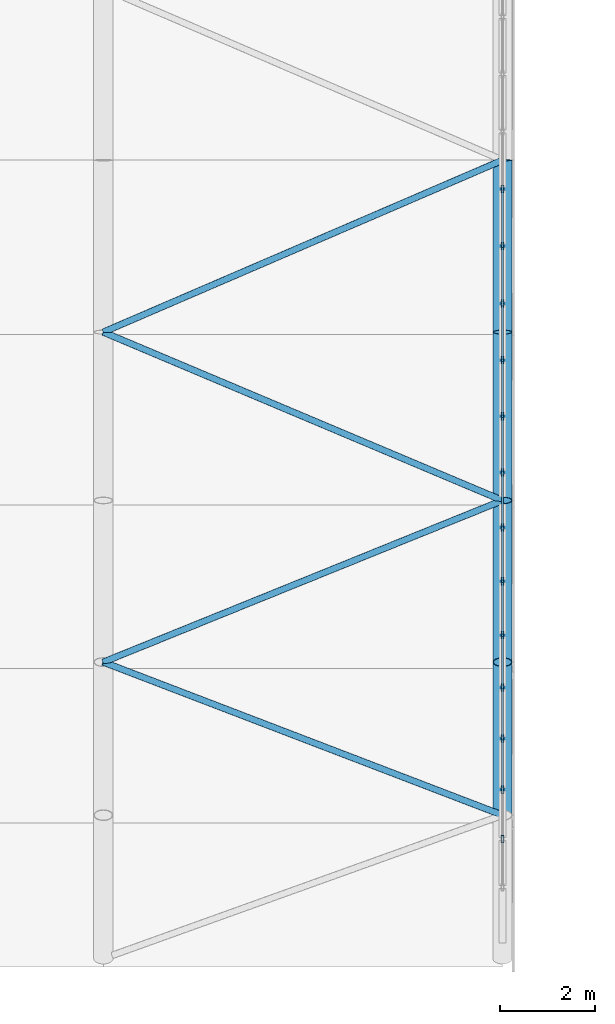
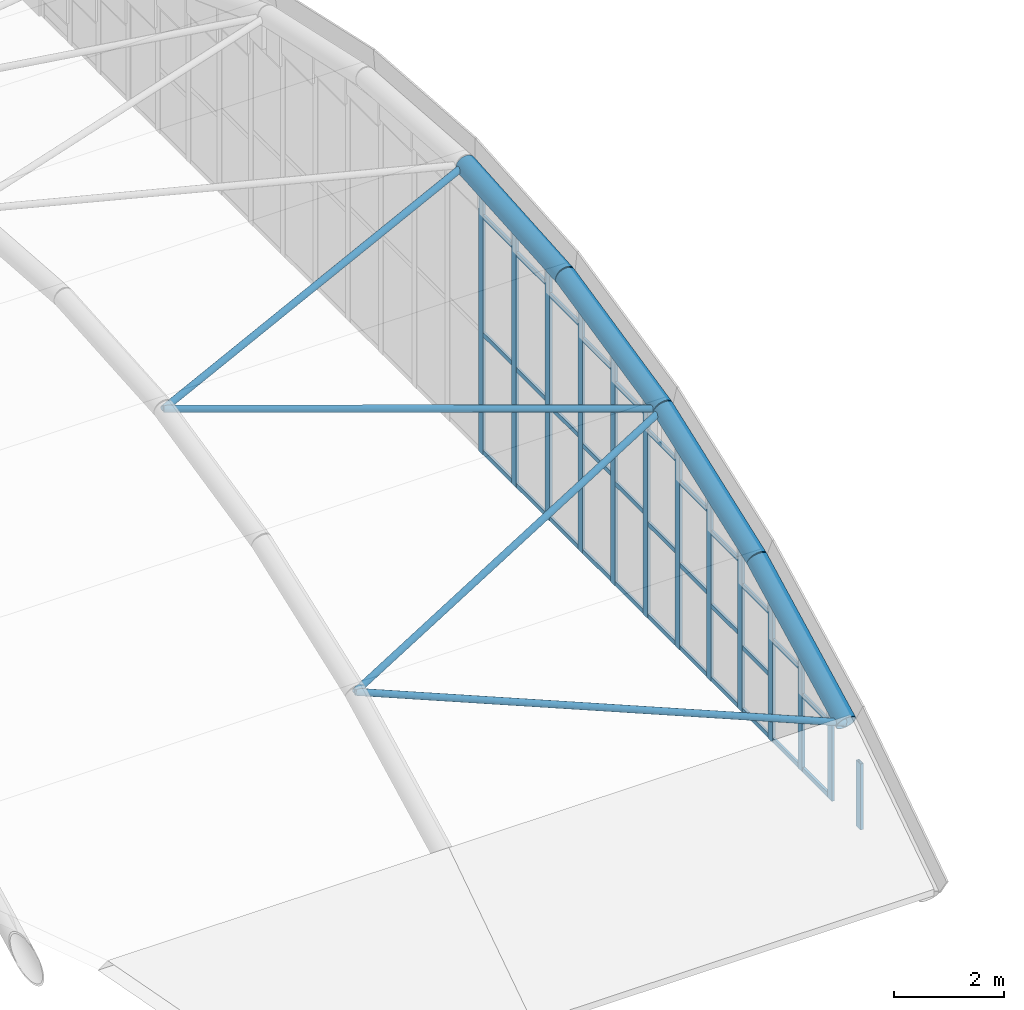
# One storey, part 11 of 77: 52 members, 1 element without a shape of its own.
"""IFC4 building model written with IfcOpenShell, lengths in metres."""

from ifc_helpers import new_model, si_unit, direction, frame, origin, origin_2d, place, context, subcontext, project, spatial, hollow_rectangle, hollow_circle, extrude, material, material_profile, profile_set, type_object, element, aggregate, save


model = new_model("IFC4")

# Units and contexts
model_context = context("Model", 3, precision=1e-05, world=origin(), true_north=direction((0.0, 1.0)))
body_context = subcontext(model_context, "Body", "Model", "MODEL_VIEW")
ifc_project = project(units=[si_unit("LENGTHUNIT", "METRE"), si_unit("AREAUNIT", "SQUARE_METRE"), si_unit("VOLUMEUNIT", "CUBIC_METRE"), si_unit("PLANEANGLEUNIT", "RADIAN"), si_unit("MASSUNIT", "GRAM", prefix="KILO")], contexts=[model_context])

# Site, building, storey
site_placement = place(None, origin())
site = spatial("IfcSite", under=ifc_project, at=site_placement, CompositionType="ELEMENT")
building_placement = place(site_placement, origin())
building = spatial("IfcBuilding", under=site, at=building_placement, Name="Catenary Quay Ferry Terminal", CompositionType="ELEMENT")
storey_placement = place(building_placement, frame((0.0, 0.0, 10.800048828125)))
storey = spatial("IfcBuildingStorey", under=building, at=storey_placement, Name="L02", CompositionType="ELEMENT", Elevation=10.800048828125)

# Members
ifc_material_1 = material(Name="Steel S355", Category="steel")
ifc_material_profile_1 = material_profile(ifc_material_1, hollow_circle(Radius=0.06982421875, WallThickness=0.008056640625, at=origin_2d()), Name="CHS 139.7x8")
ifc_profile_set_1 = profile_set([ifc_material_profile_1], Name="Steel S355")
member_type_1 = type_object("IfcMemberType", Name="BR1 CHS 139.7x8", PredefinedType="BRACE", material=ifc_profile_set_1)
member_1_placement = place(storey_placement, frame((92.39990234375, 70.218017578125, 2.012939453125), z_axis=(-0.91804419684, 0.351917831545, 0.182616243771), x_axis=(-0.357936800367, -0.933745814953, 0.0)))
element("IfcMember", 1, at=member_1_placement, inside=storey, type_object=member_type_1, Name="Roof brace BR-VA-08-02", PredefinedType="BRACE", context=body_context, shape_type="SweptSolid", body=[
    extrude(hollow_circle(Radius=0.06982421875, WallThickness=0.008056640625, at=origin_2d()), origin(), (0.0, 0.0, 1.0), 9.149658203125),
])
for number, where, z_axis, x_axis, name in (
    (2, (84.0, 73.43798828125, 3.683837890625), (0.918017489966, 0.37181229212, 0.137838701191), (-0.375395559198, 0.926864701094, 0.0), "Roof brace BR-VA-08-03"),
    (3, (92.39990234375, 76.840087890625, 4.945068359375), (-0.918018139604, 0.387101295395, 0.085995828168), (-0.388540645343, -0.921431585586, 0.0), "Roof brace BR-VA-08-04"),
):
    element("IfcMember", number, at=place(storey_placement, frame(where, z_axis=z_axis, x_axis=x_axis)), inside=storey, type_object=member_type_1, Name=name, PredefinedType="BRACE", context=body_context, shape_type="SweptSolid", body=[
        extrude(hollow_circle(Radius=0.06982421875, WallThickness=0.008056640625, at=origin_2d()), origin(), (0.0, 0.0, 1.0), 9.150146484375),
    ])
member_2_placement = place(storey_placement, frame((84.0, 80.382080078125, 5.73193359375), z_axis=(0.918038213702, 0.395408018626, 0.029297388788), x_axis=(-0.395577824611, 0.918432460596, 0.0)))
element("IfcMember", 4, at=member_2_placement, inside=storey, type_object=member_type_1, Name="Roof brace BR-VA-08-05", PredefinedType="BRACE", context=body_context, shape_type="SweptSolid", body=[
    extrude(hollow_circle(Radius=0.06982421875, WallThickness=0.008056640625, at=origin_2d()), origin(), (0.0, 0.0, 1.0), 9.14990234375),
])

# Curtain wall, members
ifc_material_2 = material(Name="Aluminium and glass", Category="aluminium")
curtain_wall_type = type_object("IfcCurtainWallType", Name="CWA", PredefinedType="NOTDEFINED", material=ifc_material_2)
curtain_wall_placement = place(storey_placement, origin())
curtain_wall = element("IfcCurtainWall", 5, at=curtain_wall_placement, inside=storey, type_object=curtain_wall_type, Name="Arch arrivals hall curtain wall CW12", PredefinedType="NOTDEFINED")
ifc_material_3 = material(Name="Aluminium", Category="aluminium")
ifc_material_profile_2 = material_profile(ifc_material_3, hollow_rectangle(XDim=0.06005859375, YDim=0.159912109375, WallThickness=0.006103515625, at=origin_2d()), Name="MU5")
ifc_profile_set_2 = profile_set([ifc_material_profile_2], Name="Aluminium")
member_type_2 = type_object("IfcMemberType", Name="MU5", PredefinedType="MULLION", material=ifc_profile_set_2)
member_3_placement = place(storey_placement, frame((92.39990234375, 69.715087890625, 0.0), z_axis=(0.0, 0.0, 1.0), x_axis=(-1.0, 0.0, 0.0)))
member_3 = element("IfcMember", 6, at=member_3_placement, type_object=member_type_2, Name="CW12 mullion 2", PredefinedType="MULLION", context=body_context, shape_type="SweptSolid", body=[
    extrude(hollow_rectangle(XDim=0.06005859375, YDim=0.159912109375, WallThickness=0.006103515625, at=origin_2d()), origin(), (0.0, 0.0, 1.0), 1.45751953125),
])
member_4_placement = place(storey_placement, frame((92.39990234375, 70.754638671875, 0.0), z_axis=(0.0, 0.0, 1.0), x_axis=(-1.0, 0.0, 0.0)))
member_4 = element("IfcMember", 7, at=member_4_placement, type_object=member_type_2, Name="CW12 mullion 3", PredefinedType="MULLION", context=body_context, shape_type="SweptSolid", body=[
    extrude(hollow_rectangle(XDim=0.06005859375, YDim=0.159912109375, WallThickness=0.006103515625, at=origin_2d()), origin(), (0.0, 0.0, 1.0), 2.071533203125),
])
member_5_placement = place(storey_placement, frame((92.39990234375, 71.827880859375, 0.0), z_axis=(0.0, 0.0, 1.0), x_axis=(-1.0, 0.0, 0.0)))
member_5 = element("IfcMember", 8, at=member_5_placement, type_object=member_type_2, Name="CW12 mullion 4", PredefinedType="MULLION", context=body_context, shape_type="SweptSolid", body=[
    extrude(hollow_rectangle(XDim=0.06005859375, YDim=0.159912109375, WallThickness=0.006103515625, at=origin_2d()), origin(), (0.0, 0.0, 1.0), 2.62841796875),
])
member_6_placement = place(storey_placement, frame((92.39990234375, 72.9013671875, 0.0), z_axis=(0.0, 0.0, 1.0), x_axis=(-1.0, 0.0, 0.0)))
member_6 = element("IfcMember", 9, at=member_6_placement, type_object=member_type_2, Name="CW12 mullion 5", PredefinedType="MULLION", context=body_context, shape_type="SweptSolid", body=[
    extrude(hollow_rectangle(XDim=0.06005859375, YDim=0.159912109375, WallThickness=0.006103515625, at=origin_2d()), origin(), (0.0, 0.0, 1.0), 3.185546875),
])
member_7_placement = place(storey_placement, frame((92.39990234375, 74.0048828125, 0.0), z_axis=(0.0, 0.0, 1.0), x_axis=(-1.0, 0.0, 0.0)))
member_7 = element("IfcMember", 10, at=member_7_placement, type_object=member_type_2, Name="CW12 mullion 6", PredefinedType="MULLION", context=body_context, shape_type="SweptSolid", body=[
    extrude(hollow_rectangle(XDim=0.06005859375, YDim=0.159912109375, WallThickness=0.006103515625, at=origin_2d()), origin(), (0.0, 0.0, 1.0), 3.674072265625),
])
member_8_placement = place(storey_placement, frame((92.39990234375, 75.138916015625, 0.0), z_axis=(0.0, 0.0, 1.0), x_axis=(-1.0, 0.0, 0.0)))
member_8 = element("IfcMember", 11, at=member_8_placement, type_object=member_type_2, Name="CW12 mullion 7", PredefinedType="MULLION", context=body_context, shape_type="SweptSolid", body=[
    extrude(hollow_rectangle(XDim=0.06005859375, YDim=0.159912109375, WallThickness=0.006103515625, at=origin_2d()), origin(), (0.0, 0.0, 1.0), 4.094482421875),
])
member_9_placement = place(storey_placement, frame((92.39990234375, 76.27294921875, 0.0), z_axis=(0.0, 0.0, 1.0), x_axis=(-1.0, 0.0, 0.0)))
member_9 = element("IfcMember", 12, at=member_9_placement, type_object=member_type_2, Name="CW12 mullion 8", PredefinedType="MULLION", context=body_context, shape_type="SweptSolid", body=[
    extrude(hollow_rectangle(XDim=0.06005859375, YDim=0.159912109375, WallThickness=0.006103515625, at=origin_2d()), origin(), (0.0, 0.0, 1.0), 4.514892578125),
])
member_10_placement = place(storey_placement, frame((92.39990234375, 77.430419921875, 0.0), z_axis=(0.0, 0.0, 1.0), x_axis=(-1.0, 0.0, 0.0)))
member_10 = element("IfcMember", 13, at=member_10_placement, type_object=member_type_2, Name="CW12 mullion 9", PredefinedType="MULLION", context=body_context, shape_type="SweptSolid", body=[
    extrude(hollow_rectangle(XDim=0.06005859375, YDim=0.159912109375, WallThickness=0.006103515625, at=origin_2d()), origin(), (0.0, 0.0, 1.0), 4.856201171875),
])
member_11_placement = place(storey_placement, frame((92.39990234375, 78.611083984375, 0.0), z_axis=(0.0, 0.0, 1.0), x_axis=(-1.0, 0.0, 0.0)))
member_11 = element("IfcMember", 14, at=member_11_placement, type_object=member_type_2, Name="CW12 mullion 10", PredefinedType="MULLION", context=body_context, shape_type="SweptSolid", body=[
    extrude(hollow_rectangle(XDim=0.06005859375, YDim=0.159912109375, WallThickness=0.006103515625, at=origin_2d()), origin(), (0.0, 0.0, 1.0), 5.118408203125),
])
member_12_placement = place(storey_placement, frame((92.39990234375, 79.791748046875, 0.0), z_axis=(0.0, 0.0, 1.0), x_axis=(-1.0, 0.0, 0.0)))
member_12 = element("IfcMember", 15, at=member_12_placement, type_object=member_type_2, Name="CW12 mullion 11", PredefinedType="MULLION", context=body_context, shape_type="SweptSolid", body=[
    extrude(hollow_rectangle(XDim=0.06005859375, YDim=0.159912109375, WallThickness=0.006103515625, at=origin_2d()), origin(), (0.0, 0.0, 1.0), 5.380859375),
])
member_13_placement = place(storey_placement, frame((92.39990234375, 80.985107421875, 0.0), z_axis=(0.0, 0.0, 1.0), x_axis=(-1.0, 0.0, 0.0)))
member_13 = element("IfcMember", 16, at=member_13_placement, type_object=member_type_2, Name="CW12 mullion 12", PredefinedType="MULLION", context=body_context, shape_type="SweptSolid", body=[
    extrude(hollow_rectangle(XDim=0.06005859375, YDim=0.159912109375, WallThickness=0.006103515625, at=origin_2d()), origin(), (0.0, 0.0, 1.0), 5.556640625),
])
member_14_placement = place(storey_placement, frame((92.39990234375, 82.19091796875, 0.0), z_axis=(0.0, 0.0, 1.0), x_axis=(-1.0, 0.0, 0.0)))
member_14 = element("IfcMember", 17, at=member_14_placement, type_object=member_type_2, Name="CW12 mullion 13", PredefinedType="MULLION", context=body_context, shape_type="SweptSolid", body=[
    extrude(hollow_rectangle(XDim=0.06005859375, YDim=0.159912109375, WallThickness=0.006103515625, at=origin_2d()), origin(), (0.0, 0.0, 1.0), 5.64599609375),
])
member_15_placement = place(storey_placement, frame((92.39990234375, 83.39697265625, 0.0), z_axis=(0.0, 0.0, 1.0), x_axis=(-1.0, 0.0, 0.0)))
member_15 = element("IfcMember", 18, at=member_15_placement, type_object=member_type_2, Name="CW12 mullion 14", PredefinedType="MULLION", context=body_context, shape_type="SweptSolid", body=[
    extrude(hollow_rectangle(XDim=0.06005859375, YDim=0.159912109375, WallThickness=0.006103515625, at=origin_2d()), origin(), (0.0, 0.0, 1.0), 5.7353515625),
])
ifc_material_4 = material(Name="Aluminium", Category="aluminium")
ifc_material_profile_3 = material_profile(ifc_material_4, hollow_rectangle(XDim=0.050048828125, YDim=0.10009765625, WallThickness=0.00390625, at=origin_2d()), Name="TR4")
ifc_profile_set_3 = profile_set([ifc_material_profile_3], Name="Aluminium")
member_type_3 = type_object("IfcMemberType", Name="TR4", PredefinedType="USERDEFINED", material=ifc_profile_set_3)
member_16_placement = place(storey_placement, frame((92.39990234375, 70.78466796875, 0.050048828125), z_axis=(0.0, 1.0, 0.0), x_axis=(-1.0, 0.0, 0.0)))
member_16 = element("IfcMember", 19, at=member_16_placement, type_object=member_type_3, Name="CW12 transom 3.1", ObjectType="TRANSOM", PredefinedType="USERDEFINED", context=body_context, shape_type="SweptSolid", body=[
    extrude(hollow_rectangle(XDim=0.050048828125, YDim=0.10009765625, WallThickness=0.00390625, at=origin_2d()), origin(), (0.0, 0.0, 1.0), 1.013427734375),
])
member_17_placement = place(storey_placement, frame((92.39990234375, 70.78466796875, 1.681396484375), z_axis=(0.0, 1.0, 0.0), x_axis=(-1.0, 0.0, 0.0)))
member_17 = element("IfcMember", 20, at=member_17_placement, type_object=member_type_3, Name="CW12 transom 3.2", ObjectType="TRANSOM", PredefinedType="USERDEFINED", context=body_context, shape_type="SweptSolid", body=[
    extrude(hollow_rectangle(XDim=0.050048828125, YDim=0.10009765625, WallThickness=0.00390625, at=origin_2d()), origin(), (0.0, 0.0, 1.0), 1.013427734375),
])
member_18_placement = place(storey_placement, frame((92.39990234375, 71.85791015625, 0.050048828125), z_axis=(0.0, 1.0, 0.0), x_axis=(-1.0, 0.0, 0.0)))
member_18 = element("IfcMember", 21, at=member_18_placement, type_object=member_type_3, Name="CW12 transom 4.1", ObjectType="TRANSOM", PredefinedType="USERDEFINED", context=body_context, shape_type="SweptSolid", body=[
    extrude(hollow_rectangle(XDim=0.050048828125, YDim=0.10009765625, WallThickness=0.00390625, at=origin_2d()), origin(), (0.0, 0.0, 1.0), 1.013427734375),
])
member_19_placement = place(storey_placement, frame((92.39990234375, 71.85791015625, 2.238525390625), z_axis=(0.0, 1.0, 0.0), x_axis=(-1.0, 0.0, 0.0)))
member_19 = element("IfcMember", 22, at=member_19_placement, type_object=member_type_3, Name="CW12 transom 4.2", ObjectType="TRANSOM", PredefinedType="USERDEFINED", context=body_context, shape_type="SweptSolid", body=[
    extrude(hollow_rectangle(XDim=0.050048828125, YDim=0.10009765625, WallThickness=0.00390625, at=origin_2d()), origin(), (0.0, 0.0, 1.0), 1.013427734375),
])
member_20_placement = place(storey_placement, frame((92.39990234375, 72.931396484375, 0.050048828125), z_axis=(0.0, 1.0, 0.0), x_axis=(-1.0, 0.0, 0.0)))
member_20 = element("IfcMember", 23, at=member_20_placement, type_object=member_type_3, Name="CW12 transom 5.1", ObjectType="TRANSOM", PredefinedType="USERDEFINED", context=body_context, shape_type="SweptSolid", body=[
    extrude(hollow_rectangle(XDim=0.050048828125, YDim=0.10009765625, WallThickness=0.00390625, at=origin_2d()), origin(), (0.0, 0.0, 1.0), 1.043701171875),
])
member_21_placement = place(storey_placement, frame((92.39990234375, 72.931396484375, 1.422607421875), z_axis=(0.0, 1.0, 0.0), x_axis=(-1.0, 0.0, 0.0)))
member_21 = element("IfcMember", 24, at=member_21_placement, type_object=member_type_3, Name="CW12 transom 5.2", ObjectType="TRANSOM", PredefinedType="USERDEFINED", context=body_context, shape_type="SweptSolid", body=[
    extrude(hollow_rectangle(XDim=0.050048828125, YDim=0.10009765625, WallThickness=0.00390625, at=origin_2d()), origin(), (0.0, 0.0, 1.0), 1.043701171875),
])
member_22_placement = place(storey_placement, frame((92.39990234375, 72.931396484375, 2.79541015625), z_axis=(0.0, 1.0, 0.0), x_axis=(-1.0, 0.0, 0.0)))
member_22 = element("IfcMember", 25, at=member_22_placement, type_object=member_type_3, Name="CW12 transom 5.3", ObjectType="TRANSOM", PredefinedType="USERDEFINED", context=body_context, shape_type="SweptSolid", body=[
    extrude(hollow_rectangle(XDim=0.050048828125, YDim=0.10009765625, WallThickness=0.00390625, at=origin_2d()), origin(), (0.0, 0.0, 1.0), 1.043701171875),
])
member_23_placement = place(storey_placement, frame((92.39990234375, 74.034912109375, 0.050048828125), z_axis=(0.0, 1.0, 0.0), x_axis=(-1.0, 0.0, 0.0)))
member_23 = element("IfcMember", 26, at=member_23_placement, type_object=member_type_3, Name="CW12 transom 6.1", ObjectType="TRANSOM", PredefinedType="USERDEFINED", context=body_context, shape_type="SweptSolid", body=[
    extrude(hollow_rectangle(XDim=0.050048828125, YDim=0.10009765625, WallThickness=0.00390625, at=origin_2d()), origin(), (0.0, 0.0, 1.0), 1.073974609375),
])
member_24_placement = place(storey_placement, frame((92.39990234375, 74.034912109375, 1.6669921875), z_axis=(0.0, 1.0, 0.0), x_axis=(-1.0, 0.0, 0.0)))
member_24 = element("IfcMember", 27, at=member_24_placement, type_object=member_type_3, Name="CW12 transom 6.2", ObjectType="TRANSOM", PredefinedType="USERDEFINED", context=body_context, shape_type="SweptSolid", body=[
    extrude(hollow_rectangle(XDim=0.050048828125, YDim=0.10009765625, WallThickness=0.00390625, at=origin_2d()), origin(), (0.0, 0.0, 1.0), 1.073974609375),
])
member_25_placement = place(storey_placement, frame((92.39990234375, 74.034912109375, 3.2841796875), z_axis=(0.0, 1.0, 0.0), x_axis=(-1.0, 0.0, 0.0)))
member_25 = element("IfcMember", 28, at=member_25_placement, type_object=member_type_3, Name="CW12 transom 6.3", ObjectType="TRANSOM", PredefinedType="USERDEFINED", context=body_context, shape_type="SweptSolid", body=[
    extrude(hollow_rectangle(XDim=0.050048828125, YDim=0.10009765625, WallThickness=0.00390625, at=origin_2d()), origin(), (0.0, 0.0, 1.0), 1.073974609375),
])
member_26_placement = place(storey_placement, frame((92.39990234375, 75.1689453125, 0.050048828125), z_axis=(0.0, 1.0, 0.0), x_axis=(-1.0, 0.0, 0.0)))
member_26 = element("IfcMember", 29, at=member_26_placement, type_object=member_type_3, Name="CW12 transom 7.1", ObjectType="TRANSOM", PredefinedType="USERDEFINED", context=body_context, shape_type="SweptSolid", body=[
    extrude(hollow_rectangle(XDim=0.050048828125, YDim=0.10009765625, WallThickness=0.00390625, at=origin_2d()), origin(), (0.0, 0.0, 1.0), 1.073974609375),
])
member_27_placement = place(storey_placement, frame((92.39990234375, 75.1689453125, 1.877197265625), z_axis=(0.0, 1.0, 0.0), x_axis=(-1.0, 0.0, 0.0)))
member_27 = element("IfcMember", 30, at=member_27_placement, type_object=member_type_3, Name="CW12 transom 7.2", ObjectType="TRANSOM", PredefinedType="USERDEFINED", context=body_context, shape_type="SweptSolid", body=[
    extrude(hollow_rectangle(XDim=0.050048828125, YDim=0.10009765625, WallThickness=0.00390625, at=origin_2d()), origin(), (0.0, 0.0, 1.0), 1.073974609375),
])
member_28_placement = place(storey_placement, frame((92.39990234375, 75.1689453125, 3.704345703125), z_axis=(0.0, 1.0, 0.0), x_axis=(-1.0, 0.0, 0.0)))
member_28 = element("IfcMember", 31, at=member_28_placement, type_object=member_type_3, Name="CW12 transom 7.3", ObjectType="TRANSOM", PredefinedType="USERDEFINED", context=body_context, shape_type="SweptSolid", body=[
    extrude(hollow_rectangle(XDim=0.050048828125, YDim=0.10009765625, WallThickness=0.00390625, at=origin_2d()), origin(), (0.0, 0.0, 1.0), 1.073974609375),
])
member_29_placement = place(storey_placement, frame((92.39990234375, 76.302978515625, 0.050048828125), z_axis=(0.0, 1.0, 0.0), x_axis=(-1.0, 0.0, 0.0)))
member_29 = element("IfcMember", 32, at=member_29_placement, type_object=member_type_3, Name="CW12 transom 8.1", ObjectType="TRANSOM", PredefinedType="USERDEFINED", context=body_context, shape_type="SweptSolid", body=[
    extrude(hollow_rectangle(XDim=0.050048828125, YDim=0.10009765625, WallThickness=0.00390625, at=origin_2d()), origin(), (0.0, 0.0, 1.0), 1.097412109375),
])
member_30_placement = place(storey_placement, frame((92.39990234375, 76.302978515625, 2.08740234375), z_axis=(0.0, 1.0, 0.0), x_axis=(-1.0, 0.0, 0.0)))
member_30 = element("IfcMember", 33, at=member_30_placement, type_object=member_type_3, Name="CW12 transom 8.2", ObjectType="TRANSOM", PredefinedType="USERDEFINED", context=body_context, shape_type="SweptSolid", body=[
    extrude(hollow_rectangle(XDim=0.050048828125, YDim=0.10009765625, WallThickness=0.00390625, at=origin_2d()), origin(), (0.0, 0.0, 1.0), 1.097412109375),
])
member_31_placement = place(storey_placement, frame((92.39990234375, 76.302978515625, 4.124755859375), z_axis=(0.0, 1.0, 0.0), x_axis=(-1.0, 0.0, 0.0)))
member_31 = element("IfcMember", 34, at=member_31_placement, type_object=member_type_3, Name="CW12 transom 8.3", ObjectType="TRANSOM", PredefinedType="USERDEFINED", context=body_context, shape_type="SweptSolid", body=[
    extrude(hollow_rectangle(XDim=0.050048828125, YDim=0.10009765625, WallThickness=0.00390625, at=origin_2d()), origin(), (0.0, 0.0, 1.0), 1.097412109375),
])
member_32_placement = place(storey_placement, frame((92.39990234375, 77.46044921875, 0.050048828125), z_axis=(0.0, 1.0, 0.0), x_axis=(-1.0, 0.0, 0.0)))
member_32 = element("IfcMember", 35, at=member_32_placement, type_object=member_type_3, Name="CW12 transom 9.1", ObjectType="TRANSOM", PredefinedType="USERDEFINED", context=body_context, shape_type="SweptSolid", body=[
    extrude(hollow_rectangle(XDim=0.050048828125, YDim=0.10009765625, WallThickness=0.00390625, at=origin_2d()), origin(), (0.0, 0.0, 1.0), 1.12060546875),
])
member_33_placement = place(storey_placement, frame((92.39990234375, 77.46044921875, 2.258056640625), z_axis=(0.0, 1.0, 0.0), x_axis=(-1.0, 0.0, 0.0)))
member_33 = element("IfcMember", 36, at=member_33_placement, type_object=member_type_3, Name="CW12 transom 9.2", ObjectType="TRANSOM", PredefinedType="USERDEFINED", context=body_context, shape_type="SweptSolid", body=[
    extrude(hollow_rectangle(XDim=0.050048828125, YDim=0.10009765625, WallThickness=0.00390625, at=origin_2d()), origin(), (0.0, 0.0, 1.0), 1.12060546875),
])
member_34_placement = place(storey_placement, frame((92.39990234375, 77.46044921875, 4.466064453125), z_axis=(0.0, 1.0, 0.0), x_axis=(-1.0, 0.0, 0.0)))
member_34 = element("IfcMember", 37, at=member_34_placement, type_object=member_type_3, Name="CW12 transom 9.3", ObjectType="TRANSOM", PredefinedType="USERDEFINED", context=body_context, shape_type="SweptSolid", body=[
    extrude(hollow_rectangle(XDim=0.050048828125, YDim=0.10009765625, WallThickness=0.00390625, at=origin_2d()), origin(), (0.0, 0.0, 1.0), 1.12060546875),
])
member_35_placement = place(storey_placement, frame((92.39990234375, 78.64111328125, 0.050048828125), z_axis=(0.0, 1.0, 0.0), x_axis=(-1.0, 0.0, 0.0)))
member_35 = element("IfcMember", 38, at=member_35_placement, type_object=member_type_3, Name="CW12 transom 10.1", ObjectType="TRANSOM", PredefinedType="USERDEFINED", context=body_context, shape_type="SweptSolid", body=[
    extrude(hollow_rectangle(XDim=0.050048828125, YDim=0.10009765625, WallThickness=0.00390625, at=origin_2d()), origin(), (0.0, 0.0, 1.0), 1.12060546875),
])
member_36_placement = place(storey_placement, frame((92.39990234375, 78.64111328125, 2.38916015625), z_axis=(0.0, 1.0, 0.0), x_axis=(-1.0, 0.0, 0.0)))
member_36 = element("IfcMember", 39, at=member_36_placement, type_object=member_type_3, Name="CW12 transom 10.2", ObjectType="TRANSOM", PredefinedType="USERDEFINED", context=body_context, shape_type="SweptSolid", body=[
    extrude(hollow_rectangle(XDim=0.050048828125, YDim=0.10009765625, WallThickness=0.00390625, at=origin_2d()), origin(), (0.0, 0.0, 1.0), 1.12060546875),
])
member_37_placement = place(storey_placement, frame((92.39990234375, 78.64111328125, 4.728515625), z_axis=(0.0, 1.0, 0.0), x_axis=(-1.0, 0.0, 0.0)))
member_37 = element("IfcMember", 40, at=member_37_placement, type_object=member_type_3, Name="CW12 transom 10.3", ObjectType="TRANSOM", PredefinedType="USERDEFINED", context=body_context, shape_type="SweptSolid", body=[
    extrude(hollow_rectangle(XDim=0.050048828125, YDim=0.10009765625, WallThickness=0.00390625, at=origin_2d()), origin(), (0.0, 0.0, 1.0), 1.12060546875),
])
member_38_placement = place(storey_placement, frame((92.39990234375, 79.82177734375, 0.050048828125), z_axis=(0.0, 1.0, 0.0), x_axis=(-1.0, 0.0, 0.0)))
member_38 = element("IfcMember", 41, at=member_38_placement, type_object=member_type_3, Name="CW12 transom 11.1", ObjectType="TRANSOM", PredefinedType="USERDEFINED", context=body_context, shape_type="SweptSolid", body=[
    extrude(hollow_rectangle(XDim=0.050048828125, YDim=0.10009765625, WallThickness=0.00390625, at=origin_2d()), origin(), (0.0, 0.0, 1.0), 1.13330078125),
])
member_39_placement = place(storey_placement, frame((92.39990234375, 79.82177734375, 2.520263671875), z_axis=(0.0, 1.0, 0.0), x_axis=(-1.0, 0.0, 0.0)))
member_39 = element("IfcMember", 42, at=member_39_placement, type_object=member_type_3, Name="CW12 transom 11.2", ObjectType="TRANSOM", PredefinedType="USERDEFINED", context=body_context, shape_type="SweptSolid", body=[
    extrude(hollow_rectangle(XDim=0.050048828125, YDim=0.10009765625, WallThickness=0.00390625, at=origin_2d()), origin(), (0.0, 0.0, 1.0), 1.13330078125),
])
member_40_placement = place(storey_placement, frame((92.39990234375, 79.82177734375, 4.99072265625), z_axis=(0.0, 1.0, 0.0), x_axis=(-1.0, 0.0, 0.0)))
member_40 = element("IfcMember", 43, at=member_40_placement, type_object=member_type_3, Name="CW12 transom 11.3", ObjectType="TRANSOM", PredefinedType="USERDEFINED", context=body_context, shape_type="SweptSolid", body=[
    extrude(hollow_rectangle(XDim=0.050048828125, YDim=0.10009765625, WallThickness=0.00390625, at=origin_2d()), origin(), (0.0, 0.0, 1.0), 1.13330078125),
])
member_41_placement = place(storey_placement, frame((92.39990234375, 81.014892578125, 0.050048828125), z_axis=(0.0, 1.0, 0.0), x_axis=(-1.0, 0.0, 0.0)))
member_41 = element("IfcMember", 44, at=member_41_placement, type_object=member_type_3, Name="CW12 transom 12.1", ObjectType="TRANSOM", PredefinedType="USERDEFINED", context=body_context, shape_type="SweptSolid", body=[
    extrude(hollow_rectangle(XDim=0.050048828125, YDim=0.10009765625, WallThickness=0.00390625, at=origin_2d()), origin(), (0.0, 0.0, 1.0), 1.14599609375),
])
member_42_placement = place(storey_placement, frame((92.39990234375, 81.014892578125, 2.6083984375), z_axis=(0.0, 1.0, 0.0), x_axis=(-1.0, 0.0, 0.0)))
member_42 = element("IfcMember", 45, at=member_42_placement, type_object=member_type_3, Name="CW12 transom 12.2", ObjectType="TRANSOM", PredefinedType="USERDEFINED", context=body_context, shape_type="SweptSolid", body=[
    extrude(hollow_rectangle(XDim=0.050048828125, YDim=0.10009765625, WallThickness=0.00390625, at=origin_2d()), origin(), (0.0, 0.0, 1.0), 1.14599609375),
])
member_43_placement = place(storey_placement, frame((92.39990234375, 81.014892578125, 5.16650390625), z_axis=(0.0, 1.0, 0.0), x_axis=(-1.0, 0.0, 0.0)))
member_43 = element("IfcMember", 46, at=member_43_placement, type_object=member_type_3, Name="CW12 transom 12.3", ObjectType="TRANSOM", PredefinedType="USERDEFINED", context=body_context, shape_type="SweptSolid", body=[
    extrude(hollow_rectangle(XDim=0.050048828125, YDim=0.10009765625, WallThickness=0.00390625, at=origin_2d()), origin(), (0.0, 0.0, 1.0), 1.14599609375),
])
member_44_placement = place(storey_placement, frame((92.39990234375, 82.220947265625, 0.050048828125), z_axis=(0.0, 1.0, 0.0), x_axis=(-1.0, 0.0, 0.0)))
member_44 = element("IfcMember", 47, at=member_44_placement, type_object=member_type_3, Name="CW12 transom 13.1", ObjectType="TRANSOM", PredefinedType="USERDEFINED", context=body_context, shape_type="SweptSolid", body=[
    extrude(hollow_rectangle(XDim=0.050048828125, YDim=0.10009765625, WallThickness=0.00390625, at=origin_2d()), origin(), (0.0, 0.0, 1.0), 1.14599609375),
])
member_45_placement = place(storey_placement, frame((92.39990234375, 82.220947265625, 2.65283203125), z_axis=(0.0, 1.0, 0.0), x_axis=(-1.0, 0.0, 0.0)))
member_45 = element("IfcMember", 48, at=member_45_placement, type_object=member_type_3, Name="CW12 transom 13.2", ObjectType="TRANSOM", PredefinedType="USERDEFINED", context=body_context, shape_type="SweptSolid", body=[
    extrude(hollow_rectangle(XDim=0.050048828125, YDim=0.10009765625, WallThickness=0.00390625, at=origin_2d()), origin(), (0.0, 0.0, 1.0), 1.14599609375),
])
member_46_placement = place(storey_placement, frame((92.39990234375, 82.220947265625, 5.255859375), z_axis=(0.0, 1.0, 0.0), x_axis=(-1.0, 0.0, 0.0)))
member_46 = element("IfcMember", 49, at=member_46_placement, type_object=member_type_3, Name="CW12 transom 13.3", ObjectType="TRANSOM", PredefinedType="USERDEFINED", context=body_context, shape_type="SweptSolid", body=[
    extrude(hollow_rectangle(XDim=0.050048828125, YDim=0.10009765625, WallThickness=0.00390625, at=origin_2d()), origin(), (0.0, 0.0, 1.0), 1.14599609375),
])
aggregate(curtain_wall, [member_3, member_4, member_5, member_6, member_7, member_8, member_9, member_10, member_11, member_12, member_13, member_14, member_15, member_16, member_17, member_18, member_19, member_20, member_21, member_22, member_23, member_24, member_25, member_26, member_27, member_28, member_29, member_30, member_31, member_32, member_33, member_34, member_35, member_36, member_37, member_38, member_39, member_40, member_41, member_42, member_43, member_44, member_45, member_46])

# Members
ifc_material_5 = material(Name="Steel S355", Category="steel")
ifc_material_profile_4 = material_profile(ifc_material_5, hollow_circle(Radius=0.203125, WallThickness=0.01611328125, at=origin_2d()), Name="CHS 406.4x16")
ifc_profile_set_4 = profile_set([ifc_material_profile_4], Name="Steel S355")
member_type_4 = type_object("IfcMemberType", Name="VR3 CHS 406.4x16", PredefinedType="RAFTER", material=ifc_profile_set_4)
member_47_placement = place(storey_placement, frame((92.39990234375, 70.218017578125, 2.012939453125), z_axis=(0.0, 0.887609848797, 0.460596088041), x_axis=(-1.0, 0.0, 0.0)))
element("IfcMember", 50, at=member_47_placement, inside=storey, type_object=member_type_4, Name="Vault rib VA-09-02", PredefinedType="RAFTER", context=body_context, shape_type="SweptSolid", body=[
    extrude(hollow_circle(Radius=0.203125, WallThickness=0.01611328125, at=origin_2d()), origin(), (0.0, 0.0, 1.0), 3.627685546875),
])
for number, where, z_axis, x_axis, name in (
    (51, (92.39990234375, 73.43798828125, 3.683837890625), (0.0, 0.937641576687, 0.347603615728), (-1.0, 0.0, 0.0), "Vault rib VA-09-03"),
    (52, (92.39990234375, 76.840087890625, 4.945068359375), (0.0, 0.976201307112, 0.216866336698), (-1.0, 0.0, 0.0), "Vault rib VA-09-04"),
):
    element("IfcMember", number, at=place(storey_placement, frame(where, z_axis=z_axis, x_axis=x_axis)), inside=storey, type_object=member_type_4, Name=name, PredefinedType="RAFTER", context=body_context, shape_type="SweptSolid", body=[
        extrude(hollow_circle(Radius=0.203125, WallThickness=0.01611328125, at=origin_2d()), origin(), (0.0, 0.0, 1.0), 3.62841796875),
    ])
member_48_placement = place(storey_placement, frame((92.39990234375, 80.382080078125, 5.73193359375), z_axis=(0.0, 0.997266285305, 0.073891516382), x_axis=(-1.0, 0.0, 0.0)))
element("IfcMember", 53, at=member_48_placement, inside=storey, type_object=member_type_4, Name="Vault rib VA-09-05", PredefinedType="RAFTER", context=body_context, shape_type="SweptSolid", body=[
    extrude(hollow_circle(Radius=0.203125, WallThickness=0.01611328125, at=origin_2d()), origin(), (0.0, 0.0, 1.0), 3.6279296875),
])

save(model, "model.ifc")
